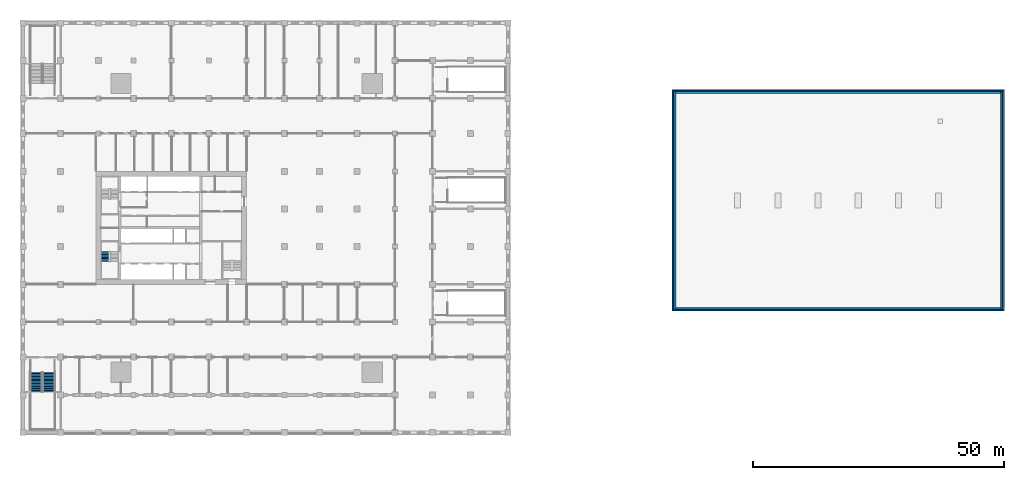
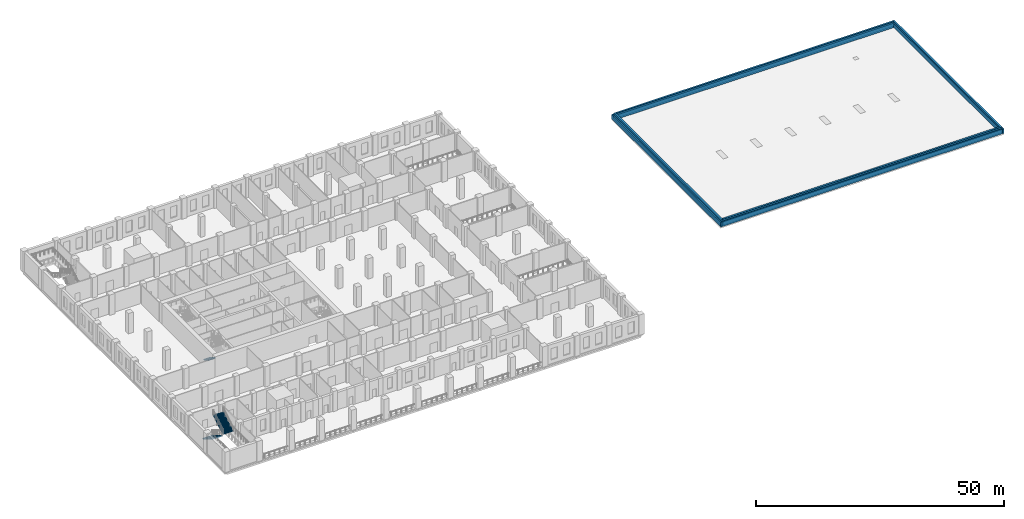
# One storey, part 12 of 22: 12 walls, 3 stair flights, 2 elements without a shape of their own.
"""IFC4 building model written with IfcOpenShell, lengths in metres."""

from ifc_helpers import new_model, si_unit, direction, frame, frame_2d, origin, place, context, subcontext, project, spatial, polyline, rectangle, outline, extrude, material, layer, layer_set, type_object, element, aggregate, save


model = new_model("IFC4")

# Units and contexts
model_context = context("Model", 3, precision=1e-05, world=origin(), true_north=direction((0.0, 1.0)))
body_context = subcontext(model_context, "Body", "Model", "MODEL_VIEW")
ifc_project = project(units=[si_unit("LENGTHUNIT", "METRE"), si_unit("AREAUNIT", "SQUARE_METRE"), si_unit("VOLUMEUNIT", "CUBIC_METRE"), si_unit("PLANEANGLEUNIT", "RADIAN"), si_unit("MASSUNIT", "GRAM", prefix="KILO")], contexts=[model_context])

# Site, building, storey
site_placement = place(None, origin())
site = spatial("IfcSite", under=ifc_project, at=site_placement, CompositionType="ELEMENT")
building_placement = place(site_placement, origin())
building = spatial("IfcBuilding", under=site, at=building_placement, Name="Tamorin Gate", CompositionType="ELEMENT")
storey_placement = place(building_placement, frame((0.0, 0.0, 29.0)))
storey = spatial("IfcBuildingStorey", under=building, at=storey_placement, Name="L05", CompositionType="ELEMENT", Elevation=29.0)

# Walls
ifc_material_1 = material(Name="Concrete C40/50", Category="concrete")
ifc_layer_1 = layer(ifc_material_1, 0.300048828125)
ifc_layer_set_1 = layer_set([ifc_layer_1], Name="Precast concrete band wall 300 C40/50")
wall_type_1 = type_object("IfcWallType", Name="Precast concrete band wall 300 C40/50", PredefinedType="STANDARD", material=ifc_layer_set_1)
for number, where, z_axis, x_axis, name in (
    (1, (145.0, 54.85009765625, 0.0), (0.0, 0.0, 1.0), (1.0, 0.0, 0.0), "Precast band"),
    (2, (145.0, 98.550048828125, 0.0), (0.0, 0.0, 1.0), (1.0, 0.0, 0.0), "Precast band"),
):
    element("IfcWall", number, at=place(storey_placement, frame(where, z_axis=z_axis, x_axis=x_axis)), inside=storey, type_object=wall_type_1, Name=name, PredefinedType="STANDARD", context=body_context, shape_type="SweptSolid", body=[
        extrude(rectangle(XDim=65.39990234375, YDim=0.300048828125, at=frame_2d((32.699951171875, 0.0))), origin(), (0.0, 0.0, 1.0), 1.10009765625),
    ])
for number, where, z_axis, x_axis, name in (
    (3, (144.85009765625, 54.699951171875, 0.0), (0.0, 0.0, 1.0), (0.0, 1.0, 0.0), "Precast band"),
    (4, (210.550048828125, 54.699951171875, 0.0), (0.0, 0.0, 1.0), (0.0, 1.0, 0.0), "Precast band"),
):
    element("IfcWall", number, at=place(storey_placement, frame(where, z_axis=z_axis, x_axis=x_axis)), inside=storey, type_object=wall_type_1, Name=name, PredefinedType="STANDARD", context=body_context, shape_type="SweptSolid", body=[
        extrude(rectangle(XDim=44.0, YDim=0.300048828125, at=frame_2d((22.0, 0.0))), origin(), (0.0, 0.0, 1.0), 1.10009765625),
    ])
ifc_layer_2 = layer(ifc_material_1, 0.39990234375)
ifc_layer_set_2 = layer_set([ifc_layer_2], Name="Roof parapet wall 400 C40/50")
wall_type_2 = type_object("IfcWallType", Name="Roof parapet wall 400 C40/50", PredefinedType="PARAPET", material=ifc_layer_set_2)
wall_1_placement = place(storey_placement, frame((145.0, 55.199951171875, 0.0), z_axis=(0.0, 0.0, 1.0), x_axis=(1.0, 0.0, 0.0)))
element("IfcWall", 5, at=wall_1_placement, inside=storey, type_object=wall_type_2, Name="Roof parapet", PredefinedType="PARAPET", context=body_context, shape_type="SweptSolid", body=[
    extrude(rectangle(XDim=65.39990234375, YDim=0.39990234375, at=frame_2d((32.699951171875, 0.0))), origin(), (0.0, 0.0, 1.0), 1.10009765625),
])
wall_2_placement = place(storey_placement, frame((145.0, 55.199951171875, 1.10009765625), z_axis=(0.0, 0.0, 1.0), x_axis=(1.0, 0.0, 0.0)))
element("IfcWall", 6, at=wall_2_placement, inside=storey, type_object=wall_type_2, Name="Roof cornice", PredefinedType="PARAPET", context=body_context, shape_type="SweptSolid", body=[
    extrude(rectangle(XDim=65.39990234375, YDim=0.429931640625, at=frame_2d((32.699951171875, 0.0))), origin(), (0.0, 0.0, 1.0), 0.39990234375),
])
wall_3_placement = place(storey_placement, frame((145.0, 98.199951171875, 0.0), z_axis=(0.0, 0.0, 1.0), x_axis=(1.0, 0.0, 0.0)))
element("IfcWall", 7, at=wall_3_placement, inside=storey, type_object=wall_type_2, Name="Roof parapet", PredefinedType="PARAPET", context=body_context, shape_type="SweptSolid", body=[
    extrude(rectangle(XDim=65.39990234375, YDim=0.39990234375, at=frame_2d((32.699951171875, 0.0))), origin(), (0.0, 0.0, 1.0), 1.10009765625),
])
wall_4_placement = place(storey_placement, frame((145.0, 98.199951171875, 1.10009765625), z_axis=(0.0, 0.0, 1.0), x_axis=(1.0, 0.0, 0.0)))
element("IfcWall", 8, at=wall_4_placement, inside=storey, type_object=wall_type_2, Name="Roof cornice", PredefinedType="PARAPET", context=body_context, shape_type="SweptSolid", body=[
    extrude(rectangle(XDim=65.39990234375, YDim=0.429931640625, at=frame_2d((32.699951171875, 0.0))), origin(), (0.0, 0.0, 1.0), 0.39990234375),
])
wall_5_placement = place(storey_placement, frame((145.199951171875, 55.0, 0.0), z_axis=(0.0, 0.0, 1.0), x_axis=(0.0, 1.0, 0.0)))
element("IfcWall", 9, at=wall_5_placement, inside=storey, type_object=wall_type_2, Name="Roof parapet", PredefinedType="PARAPET", context=body_context, shape_type="SweptSolid", body=[
    extrude(rectangle(XDim=43.39990234375, YDim=0.39990234375, at=frame_2d((21.699951171875, 0.0))), origin(), (0.0, 0.0, 1.0), 1.10009765625),
])
wall_6_placement = place(storey_placement, frame((145.199951171875, 55.0, 1.10009765625), z_axis=(0.0, 0.0, 1.0), x_axis=(0.0, 1.0, 0.0)))
element("IfcWall", 10, at=wall_6_placement, inside=storey, type_object=wall_type_2, Name="Roof cornice", PredefinedType="PARAPET", context=body_context, shape_type="SweptSolid", body=[
    extrude(rectangle(XDim=43.39990234375, YDim=0.429931640625, at=frame_2d((21.699951171875, 0.0))), origin(), (0.0, 0.0, 1.0), 0.39990234375),
])
wall_7_placement = place(storey_placement, frame((210.199951171875, 55.0, 0.0), z_axis=(0.0, 0.0, 1.0), x_axis=(0.0, 1.0, 0.0)))
element("IfcWall", 11, at=wall_7_placement, inside=storey, type_object=wall_type_2, Name="Roof parapet", PredefinedType="PARAPET", context=body_context, shape_type="SweptSolid", body=[
    extrude(rectangle(XDim=43.39990234375, YDim=0.39990234375, at=frame_2d((21.699951171875, 0.0))), origin(), (0.0, 0.0, 1.0), 1.10009765625),
])
wall_8_placement = place(storey_placement, frame((210.199951171875, 55.0, 1.10009765625), z_axis=(0.0, 0.0, 1.0), x_axis=(0.0, 1.0, 0.0)))
element("IfcWall", 12, at=wall_8_placement, inside=storey, type_object=wall_type_2, Name="Roof cornice", PredefinedType="PARAPET", context=body_context, shape_type="SweptSolid", body=[
    extrude(rectangle(XDim=43.39990234375, YDim=0.429931640625, at=frame_2d((21.699951171875, 0.0))), origin(), (0.0, 0.0, 1.0), 0.39990234375),
])

# Stair, stair flight
stair_type_1 = type_object("IfcStairType", Name="Exit stair", PredefinedType="HALF_TURN_STAIR", material=ifc_material_1)
stair_1_placement = place(storey_placement, origin())
stair_1 = element("IfcStair", 13, at=stair_1_placement, inside=storey, type_object=stair_type_1, Name="L05 stair ST1", PredefinedType="HALF_TURN_STAIR")
stair_flight_type_1 = type_object("IfcStairFlightType", Name="Exit stair flight", PredefinedType="STRAIGHT", material=ifc_material_1)
stair_flight_1_placement = place(storey_placement, frame((31.824951171875, 66.5, 0.0), z_axis=(0.0, 0.0, 1.0), x_axis=(0.0, -1.0, 0.0)))
stair_flight_1 = element("IfcStairFlight", 14, at=stair_flight_1_placement, type_object=stair_flight_type_1, Name="ST1 flight 1", NumberOfRisers=8, NumberOfTreads=7, PredefinedType="STRAIGHT", RiserHeight=0.15625, TreadLength=0.28, context=body_context, shape_type="SweptSolid", body=[
    extrude(outline(polyline([(-0.00048828125, 0.0), (-0.00048828125, 0.00146484375), (-0.00048828125, 0.003173828125), (-0.00048828125, 0.004638671875), (-0.00048828125, 0.006103515625), (-0.00048828125, 0.0078125), (-0.00048828125, 0.00927734375), (-0.00048828125, 0.0107421875), (-0.00048828125, 0.012451171875), (-0.00048828125, 0.013916015625), (-0.00048828125, 0.015380859375), (-0.00048828125, 0.01708984375), (-0.00048828125, 0.0185546875), (-0.00048828125, 0.02001953125), (-0.00048828125, 0.021728515625), (-0.00048828125, 0.023193359375), (-0.00048828125, 0.024658203125), (-0.00048828125, 0.0263671875), (-0.00048828125, 0.02783203125), (-0.00048828125, 0.029296875), (-0.00048828125, 0.031005859375), (-0.00048828125, 0.032470703125), (-0.00048828125, 0.033935546875), (-0.00048828125, 0.03564453125), (-0.00048828125, 0.037109375), (-0.00048828125, 0.03857421875), (-0.00048828125, 0.040283203125), (-0.00048828125, 0.041748046875), (-0.00048828125, 0.043212890625), (-0.00048828125, 0.044921875), (-0.00048828125, 0.04638671875), (-0.00048828125, 0.0478515625), (-0.00048828125, 0.049560546875), (-0.00048828125, 0.051025390625), (-0.00048828125, 0.052490234375), (-0.00048828125, 0.05419921875), (-0.00048828125, 0.0556640625), (-0.00048828125, 0.05712890625), (-0.00048828125, 0.058837890625), (-0.00048828125, 0.060302734375), (-0.00048828125, 0.061767578125), (-0.00048828125, 0.0634765625), (-0.00048828125, 0.06494140625), (-0.00048828125, 0.06640625), (-0.00048828125, 0.068115234375), (-0.00048828125, 0.069580078125), (-0.00048828125, 0.071044921875), (-0.00048828125, 0.07275390625), (-0.00048828125, 0.07421875), (-0.00048828125, 0.07568359375), (-0.00048828125, 0.077392578125), (-0.00048828125, 0.078857421875), (-0.00048828125, 0.08056640625), (-0.00048828125, 0.08203125), (-0.00048828125, 0.08349609375), (-0.00048828125, 0.085205078125), (-0.00048828125, 0.086669921875), (-0.00048828125, 0.088134765625), (-0.00048828125, 0.08984375), (-0.00048828125, 0.09130859375), (-0.00048828125, 0.0927734375), (-0.00048828125, 0.094482421875), (-0.00048828125, 0.095947265625), (-0.00048828125, 0.097412109375), (-0.00048828125, 0.09912109375), (-0.00048828125, 0.1005859375), (-0.00048828125, 0.10205078125), (-0.00048828125, 0.103759765625), (-0.00048828125, 0.105224609375), (-0.00048828125, 0.106689453125), (-0.00048828125, 0.1083984375), (-0.00048828125, 0.10986328125), (-0.00048828125, 0.111328125), (-0.00048828125, 0.113037109375), (-0.00048828125, 0.114501953125), (-0.00048828125, 0.115966796875), (-0.00048828125, 0.11767578125), (-0.00048828125, 0.119140625), (-0.00048828125, 0.12060546875), (-0.00048828125, 0.122314453125), (-0.00048828125, 0.123779296875), (-0.00048828125, 0.125244140625), (-0.00048828125, 0.126953125), (-0.00048828125, 0.12841796875), (-0.00048828125, 0.1298828125), (-0.00048828125, 0.131591796875), (-0.00048828125, 0.133056640625), (-0.00048828125, 0.134521484375), (-0.00048828125, 0.13623046875), (-0.00048828125, 0.1376953125), (-0.00048828125, 0.13916015625), (-0.00048828125, 0.140869140625), (-0.00048828125, 0.142333984375), (-0.00048828125, 0.143798828125), (-0.00048828125, 0.1455078125), (-0.00048828125, 0.14697265625), (-0.00048828125, 0.1484375), (-0.00048828125, 0.150146484375), (-0.00048828125, 0.151611328125), (-0.00048828125, 0.153076171875), (-0.00048828125, 0.15478515625), (-0.00048828125, 0.15625), (0.280029296875, 0.15625), (0.280029296875, 0.3125), (0.56005859375, 0.3125), (0.56005859375, 0.46875), (0.840087890625, 0.46875), (0.840087890625, 0.625), (1.1201171875, 0.625), (1.1201171875, 0.78125), (1.39990234375, 0.78125), (1.39990234375, 0.9375), (1.679931640625, 0.9375), (1.679931640625, 1.09375), (1.9599609375, 1.09375), (1.9599609375, 1.25), (1.96044921875, 1.25), (1.96044921875, 1.246826171875), (1.96044921875, 1.243408203125), (1.96044921875, 1.240234375), (1.96044921875, 1.237060546875), (1.96044921875, 1.23388671875), (1.96044921875, 1.23046875), (1.96044921875, 1.227294921875), (1.96044921875, 1.22412109375), (1.96044921875, 1.220703125), (1.96044921875, 1.217529296875), (1.96044921875, 1.21435546875), (1.96044921875, 1.2109375), (1.96044921875, 1.207763671875), (1.96044921875, 1.20458984375), (1.96044921875, 1.201416015625), (1.96044921875, 1.197998046875), (1.96044921875, 1.19482421875), (1.96044921875, 1.191650390625), (1.96044921875, 1.188232421875), (1.96044921875, 1.18505859375), (1.96044921875, 1.181884765625), (1.96044921875, 1.178466796875), (1.96044921875, 1.17529296875), (1.96044921875, 1.172119140625), (1.96044921875, 1.1689453125), (1.96044921875, 1.16552734375), (1.96044921875, 1.162353515625), (1.96044921875, 1.1591796875), (1.96044921875, 1.15576171875), (1.96044921875, 1.152587890625), (1.96044921875, 1.1494140625), (1.96044921875, 1.14599609375), (1.96044921875, 1.142822265625), (1.96044921875, 1.1396484375), (1.96044921875, 1.136474609375), (1.96044921875, 1.133056640625), (1.96044921875, 1.1298828125), (1.96044921875, 1.126708984375), (1.96044921875, 1.123291015625), (1.96044921875, 1.1201171875), (1.96044921875, 1.116943359375), (1.96044921875, 1.113525390625), (1.96044921875, 1.1103515625), (1.96044921875, 1.107177734375), (1.96044921875, 1.10400390625), (1.96044921875, 1.1005859375), (1.96044921875, 1.097412109375), (1.96044921875, 1.09423828125), (1.96044921875, 1.0908203125), (1.96044921875, 1.087646484375), (1.96044921875, 1.08447265625), (1.96044921875, 1.0810546875), (1.96044921875, 1.077880859375), (1.96044921875, 1.07470703125), (1.96044921875, 1.071533203125), (1.96044921875, 1.068115234375), (1.96044921875, 1.06494140625), (1.96044921875, 1.061767578125), (1.96044921875, 1.058349609375), (1.96044921875, 1.05517578125), (1.96044921875, 1.052001953125), (1.96044921875, 1.048828125), (1.96044921875, 1.04541015625), (1.96044921875, 1.042236328125), (1.96044921875, 1.0390625), (1.96044921875, 1.03564453125), (1.96044921875, 1.032470703125), (1.96044921875, 1.029296875), (1.96044921875, 1.02587890625), (1.96044921875, 1.022705078125), (1.96044921875, 1.01953125), (1.96044921875, 1.016357421875), (1.96044921875, 1.012939453125), (1.96044921875, 1.009765625), (1.96044921875, 1.006591796875), (1.96044921875, 1.003173828125), (1.96044921875, 1.0), (1.96044921875, 0.996826171875), (1.96044921875, 0.993408203125), (1.96044921875, 0.990234375), (1.96044921875, 0.987060546875), (1.96044921875, 0.98388671875), (1.96044921875, 0.98046875), (1.96044921875, 0.977294921875), (1.96044921875, 0.97412109375), (1.96044921875, 0.970703125), (1.96044921875, 0.967529296875), (1.96044921875, 0.96435546875), (1.96044921875, 0.9609375), (1.96044921875, 0.957763671875), (1.96044921875, 0.95458984375), (1.96044921875, 0.951416015625), (1.96044921875, 0.947998046875), (1.96044921875, 0.94482421875), (1.96044921875, 0.941650390625), (1.96044921875, 0.938232421875), (1.96044921875, 0.93505859375), (1.96044921875, 0.931884765625), (1.96044921875, 0.928466796875), (1.96044921875, 0.92529296875), (1.96044921875, 0.922119140625), (1.9599609375, 0.922119140625), (0.3076171875, 0.0), (-0.00048828125, 0.0)])), frame((0.0, 0.824951171875, 0.0), z_axis=(0.0, -1.0, 0.0), x_axis=(1.0, 0.0, 0.0)), (0.0, 0.0, 1.0), 1.64990234375),
])
aggregate(stair_1, [stair_flight_1])

# Stair, stair flights
ifc_material_2 = material(Name="Reinforced concrete C32/40", Category="concrete")
stair_type_2 = type_object("IfcStairType", Name="Podium stair PS", PredefinedType="HALF_TURN_STAIR", material=ifc_material_2)
stair_2_placement = place(storey_placement, origin())
stair_2 = element("IfcStair", 15, at=stair_2_placement, inside=storey, type_object=stair_type_2, Name="L05 Podium stair PS1", PredefinedType="HALF_TURN_STAIR")
stair_flight_type_2 = type_object("IfcStairFlightType", Name="Stair flight 2400", PredefinedType="STRAIGHT", material=ifc_material_2)
stair_flight_2_placement = place(storey_placement, frame((18.125, 42.5, 0.0), z_axis=(0.0, 0.0, 1.0), x_axis=(0.0, -1.0, 0.0)))
stair_flight_2 = element("IfcStairFlight", 16, at=stair_flight_2_placement, type_object=stair_flight_type_2, Name="PS1 flight 1", NumberOfRisers=15, NumberOfTreads=14, PredefinedType="STRAIGHT", RiserHeight=0.166666667, TreadLength=0.28, context=body_context, shape_type="SweptSolid", body=[
    extrude(outline(polyline([(-0.00048828125, 0.0), (-0.00048828125, 0.001708984375), (-0.00048828125, 0.00341796875), (-0.00048828125, 0.0048828125), (-0.00048828125, 0.006591796875), (-0.00048828125, 0.00830078125), (-0.00048828125, 0.010009765625), (-0.00048828125, 0.011474609375), (-0.00048828125, 0.01318359375), (-0.00048828125, 0.014892578125), (-0.00048828125, 0.0166015625), (-0.00048828125, 0.01806640625), (-0.00048828125, 0.019775390625), (-0.00048828125, 0.021484375), (-0.00048828125, 0.023193359375), (-0.00048828125, 0.024658203125), (-0.00048828125, 0.0263671875), (-0.00048828125, 0.028076171875), (-0.00048828125, 0.02978515625), (-0.00048828125, 0.03125), (-0.00048828125, 0.032958984375), (-0.00048828125, 0.03466796875), (-0.00048828125, 0.036376953125), (-0.00048828125, 0.037841796875), (-0.00048828125, 0.03955078125), (-0.00048828125, 0.041259765625), (-0.00048828125, 0.04296875), (-0.00048828125, 0.04443359375), (-0.00048828125, 0.046142578125), (-0.00048828125, 0.0478515625), (-0.00048828125, 0.049560546875), (-0.00048828125, 0.05126953125), (-0.00048828125, 0.052734375), (-0.00048828125, 0.054443359375), (-0.00048828125, 0.05615234375), (-0.00048828125, 0.057861328125), (-0.00048828125, 0.059326171875), (-0.00048828125, 0.06103515625), (-0.00048828125, 0.062744140625), (-0.00048828125, 0.064453125), (-0.00048828125, 0.06591796875), (-0.00048828125, 0.067626953125), (-0.00048828125, 0.0693359375), (-0.00048828125, 0.071044921875), (-0.00048828125, 0.072509765625), (-0.00048828125, 0.07421875), (-0.00048828125, 0.075927734375), (-0.00048828125, 0.07763671875), (-0.00048828125, 0.0791015625), (-0.00048828125, 0.080810546875), (-0.00048828125, 0.08251953125), (-0.00048828125, 0.084228515625), (-0.00048828125, 0.085693359375), (-0.00048828125, 0.08740234375), (-0.00048828125, 0.089111328125), (-0.00048828125, 0.0908203125), (-0.00048828125, 0.092529296875), (-0.00048828125, 0.093994140625), (-0.00048828125, 0.095703125), (-0.00048828125, 0.097412109375), (-0.00048828125, 0.09912109375), (-0.00048828125, 0.1005859375), (-0.00048828125, 0.102294921875), (-0.00048828125, 0.10400390625), (-0.00048828125, 0.105712890625), (-0.00048828125, 0.107177734375), (-0.00048828125, 0.10888671875), (-0.00048828125, 0.110595703125), (-0.00048828125, 0.1123046875), (-0.00048828125, 0.11376953125), (-0.00048828125, 0.115478515625), (-0.00048828125, 0.1171875), (-0.00048828125, 0.118896484375), (-0.00048828125, 0.120361328125), (-0.00048828125, 0.1220703125), (-0.00048828125, 0.123779296875), (-0.00048828125, 0.12548828125), (-0.00048828125, 0.126953125), (-0.00048828125, 0.128662109375), (-0.00048828125, 0.13037109375), (-0.00048828125, 0.132080078125), (-0.00048828125, 0.133544921875), (-0.00048828125, 0.13525390625), (-0.00048828125, 0.136962890625), (-0.00048828125, 0.138671875), (-0.00048828125, 0.140380859375), (-0.00048828125, 0.141845703125), (-0.00048828125, 0.1435546875), (-0.00048828125, 0.145263671875), (-0.00048828125, 0.14697265625), (-0.00048828125, 0.1484375), (-0.00048828125, 0.150146484375), (-0.00048828125, 0.15185546875), (-0.00048828125, 0.153564453125), (-0.00048828125, 0.155029296875), (-0.00048828125, 0.15673828125), (-0.00048828125, 0.158447265625), (-0.00048828125, 0.16015625), (-0.00048828125, 0.16162109375), (-0.00048828125, 0.163330078125), (-0.00048828125, 0.1650390625), (-0.00048828125, 0.166748046875), (0.280029296875, 0.166748046875), (0.280029296875, 0.333251953125), (0.56005859375, 0.333251953125), (0.56005859375, 0.5), (0.840087890625, 0.5), (0.840087890625, 0.666748046875), (1.1201171875, 0.666748046875), (1.1201171875, 0.833251953125), (1.39990234375, 0.833251953125), (1.39990234375, 1.0), (1.679931640625, 1.0), (1.679931640625, 1.166748046875), (1.9599609375, 1.166748046875), (1.9599609375, 1.333251953125), (2.239990234375, 1.333251953125), (2.239990234375, 1.5), (2.52001953125, 1.5), (2.52001953125, 1.666748046875), (2.800048828125, 1.666748046875), (2.800048828125, 1.833251953125), (3.080078125, 1.833251953125), (3.080078125, 2.0), (3.360107421875, 2.0), (3.360107421875, 2.166748046875), (3.639892578125, 2.166748046875), (3.639892578125, 2.333251953125), (3.919921875, 2.333251953125), (3.919921875, 2.5), (3.92041015625, 2.5), (3.92041015625, 2.49658203125), (3.92041015625, 2.4931640625), (3.92041015625, 2.48974609375), (3.92041015625, 2.486572265625), (3.92041015625, 2.483154296875), (3.92041015625, 2.479736328125), (3.92041015625, 2.476318359375), (3.92041015625, 2.472900390625), (3.92041015625, 2.469482421875), (3.92041015625, 2.46630859375), (3.92041015625, 2.462890625), (3.92041015625, 2.45947265625), (3.92041015625, 2.4560546875), (3.92041015625, 2.45263671875), (3.92041015625, 2.44921875), (3.92041015625, 2.446044921875), (3.92041015625, 2.442626953125), (3.92041015625, 2.439208984375), (3.92041015625, 2.435791015625), (3.92041015625, 2.432373046875), (3.92041015625, 2.428955078125), (3.92041015625, 2.42578125), (3.92041015625, 2.42236328125), (3.92041015625, 2.4189453125), (3.92041015625, 2.41552734375), (3.92041015625, 2.412109375), (3.92041015625, 2.40869140625), (3.92041015625, 2.405517578125), (3.92041015625, 2.402099609375), (3.92041015625, 2.398681640625), (3.92041015625, 2.395263671875), (3.92041015625, 2.391845703125), (3.92041015625, 2.388427734375), (3.92041015625, 2.38525390625), (3.92041015625, 2.3818359375), (3.92041015625, 2.37841796875), (3.92041015625, 2.375), (3.92041015625, 2.37158203125), (3.92041015625, 2.3681640625), (3.92041015625, 2.364990234375), (3.92041015625, 2.361572265625), (3.92041015625, 2.358154296875), (3.92041015625, 2.354736328125), (3.92041015625, 2.351318359375), (3.92041015625, 2.347900390625), (3.92041015625, 2.3447265625), (3.92041015625, 2.34130859375), (3.92041015625, 2.337890625), (3.92041015625, 2.33447265625), (3.92041015625, 2.3310546875), (3.92041015625, 2.32763671875), (3.92041015625, 2.324462890625), (3.92041015625, 2.321044921875), (3.92041015625, 2.317626953125), (3.92041015625, 2.314208984375), (3.92041015625, 2.310791015625), (3.92041015625, 2.307373046875), (3.92041015625, 2.30419921875), (3.92041015625, 2.30078125), (3.92041015625, 2.29736328125), (3.92041015625, 2.2939453125), (3.92041015625, 2.29052734375), (3.92041015625, 2.287109375), (3.92041015625, 2.283935546875), (3.92041015625, 2.280517578125), (3.92041015625, 2.277099609375), (3.92041015625, 2.273681640625), (3.92041015625, 2.270263671875), (3.92041015625, 2.266845703125), (3.92041015625, 2.263671875), (3.92041015625, 2.26025390625), (3.92041015625, 2.2568359375), (3.92041015625, 2.25341796875), (3.92041015625, 2.25), (3.92041015625, 2.24658203125), (3.92041015625, 2.243408203125), (3.92041015625, 2.239990234375), (3.92041015625, 2.236572265625), (3.92041015625, 2.233154296875), (3.92041015625, 2.229736328125), (3.92041015625, 2.226318359375), (3.92041015625, 2.22314453125), (3.92041015625, 2.2197265625), (3.92041015625, 2.21630859375), (3.92041015625, 2.212890625), (3.92041015625, 2.20947265625), (3.92041015625, 2.2060546875), (3.92041015625, 2.202880859375), (3.92041015625, 2.199462890625), (3.92041015625, 2.196044921875), (3.92041015625, 2.192626953125), (3.92041015625, 2.189208984375), (3.92041015625, 2.185791015625), (3.92041015625, 2.1826171875), (3.92041015625, 2.17919921875), (3.92041015625, 2.17578125), (3.92041015625, 2.17236328125), (3.92041015625, 2.1689453125), (3.92041015625, 2.16552734375), (3.92041015625, 2.162353515625), (3.92041015625, 2.158935546875), (3.919921875, 2.158935546875), (0.29296875, 0.0), (-0.00048828125, 0.0)])), frame((0.0, 1.199951171875, 0.0), z_axis=(0.0, -1.0, 0.0), x_axis=(1.0, 0.0, 0.0)), (0.0, 0.0, 1.0), 2.39990234375),
])
stair_flight_3_placement = place(storey_placement, frame((20.675048828125, 38.580078125, 2.5), z_axis=(0.0, 0.0, 1.0), x_axis=(0.0, 1.0, 0.0)))
stair_flight_3 = element("IfcStairFlight", 17, at=stair_flight_3_placement, type_object=stair_flight_type_2, Name="PS1 flight 2", NumberOfRisers=15, NumberOfTreads=14, PredefinedType="STRAIGHT", RiserHeight=0.166666667, TreadLength=0.28, context=body_context, shape_type="SweptSolid", body=[
    extrude(outline(polyline([(-0.00048828125, 0.0), (-0.00048828125, 0.001708984375), (-0.00048828125, 0.00341796875), (-0.00048828125, 0.0048828125), (-0.00048828125, 0.006591796875), (-0.00048828125, 0.00830078125), (-0.00048828125, 0.010009765625), (-0.00048828125, 0.011474609375), (-0.00048828125, 0.01318359375), (-0.00048828125, 0.014892578125), (-0.00048828125, 0.0166015625), (-0.00048828125, 0.01806640625), (-0.00048828125, 0.019775390625), (-0.00048828125, 0.021484375), (-0.00048828125, 0.023193359375), (-0.00048828125, 0.024658203125), (-0.00048828125, 0.0263671875), (-0.00048828125, 0.028076171875), (-0.00048828125, 0.02978515625), (-0.00048828125, 0.03125), (-0.00048828125, 0.032958984375), (-0.00048828125, 0.03466796875), (-0.00048828125, 0.036376953125), (-0.00048828125, 0.037841796875), (-0.00048828125, 0.03955078125), (-0.00048828125, 0.041259765625), (-0.00048828125, 0.04296875), (-0.00048828125, 0.04443359375), (-0.00048828125, 0.046142578125), (-0.00048828125, 0.0478515625), (-0.00048828125, 0.049560546875), (-0.00048828125, 0.05126953125), (-0.00048828125, 0.052734375), (-0.00048828125, 0.054443359375), (-0.00048828125, 0.05615234375), (-0.00048828125, 0.057861328125), (-0.00048828125, 0.059326171875), (-0.00048828125, 0.06103515625), (-0.00048828125, 0.062744140625), (-0.00048828125, 0.064453125), (-0.00048828125, 0.06591796875), (-0.00048828125, 0.067626953125), (-0.00048828125, 0.0693359375), (-0.00048828125, 0.071044921875), (-0.00048828125, 0.072509765625), (-0.00048828125, 0.07421875), (-0.00048828125, 0.075927734375), (-0.00048828125, 0.07763671875), (-0.00048828125, 0.0791015625), (-0.00048828125, 0.080810546875), (-0.00048828125, 0.08251953125), (-0.00048828125, 0.084228515625), (-0.00048828125, 0.085693359375), (-0.00048828125, 0.08740234375), (-0.00048828125, 0.089111328125), (-0.00048828125, 0.0908203125), (-0.00048828125, 0.092529296875), (-0.00048828125, 0.093994140625), (-0.00048828125, 0.095703125), (-0.00048828125, 0.097412109375), (-0.00048828125, 0.09912109375), (-0.00048828125, 0.1005859375), (-0.00048828125, 0.102294921875), (-0.00048828125, 0.10400390625), (-0.00048828125, 0.105712890625), (-0.00048828125, 0.107177734375), (-0.00048828125, 0.10888671875), (-0.00048828125, 0.110595703125), (-0.00048828125, 0.1123046875), (-0.00048828125, 0.11376953125), (-0.00048828125, 0.115478515625), (-0.00048828125, 0.1171875), (-0.00048828125, 0.118896484375), (-0.00048828125, 0.120361328125), (-0.00048828125, 0.1220703125), (-0.00048828125, 0.123779296875), (-0.00048828125, 0.12548828125), (-0.00048828125, 0.126953125), (-0.00048828125, 0.128662109375), (-0.00048828125, 0.13037109375), (-0.00048828125, 0.132080078125), (-0.00048828125, 0.133544921875), (-0.00048828125, 0.13525390625), (-0.00048828125, 0.136962890625), (-0.00048828125, 0.138671875), (-0.00048828125, 0.140380859375), (-0.00048828125, 0.141845703125), (-0.00048828125, 0.1435546875), (-0.00048828125, 0.145263671875), (-0.00048828125, 0.14697265625), (-0.00048828125, 0.1484375), (-0.00048828125, 0.150146484375), (-0.00048828125, 0.15185546875), (-0.00048828125, 0.153564453125), (-0.00048828125, 0.155029296875), (-0.00048828125, 0.15673828125), (-0.00048828125, 0.158447265625), (-0.00048828125, 0.16015625), (-0.00048828125, 0.16162109375), (-0.00048828125, 0.163330078125), (-0.00048828125, 0.1650390625), (-0.00048828125, 0.166748046875), (0.280029296875, 0.166748046875), (0.280029296875, 0.333251953125), (0.56005859375, 0.333251953125), (0.56005859375, 0.5), (0.840087890625, 0.5), (0.840087890625, 0.666748046875), (1.1201171875, 0.666748046875), (1.1201171875, 0.833251953125), (1.39990234375, 0.833251953125), (1.39990234375, 1.0), (1.679931640625, 1.0), (1.679931640625, 1.166748046875), (1.9599609375, 1.166748046875), (1.9599609375, 1.333251953125), (2.239990234375, 1.333251953125), (2.239990234375, 1.5), (2.52001953125, 1.5), (2.52001953125, 1.666748046875), (2.800048828125, 1.666748046875), (2.800048828125, 1.833251953125), (3.080078125, 1.833251953125), (3.080078125, 2.0), (3.360107421875, 2.0), (3.360107421875, 2.166748046875), (3.639892578125, 2.166748046875), (3.639892578125, 2.333251953125), (3.919921875, 2.333251953125), (3.919921875, 2.5), (3.92041015625, 2.5), (3.92041015625, 2.49658203125), (3.92041015625, 2.4931640625), (3.92041015625, 2.48974609375), (3.92041015625, 2.486572265625), (3.92041015625, 2.483154296875), (3.92041015625, 2.479736328125), (3.92041015625, 2.476318359375), (3.92041015625, 2.472900390625), (3.92041015625, 2.469482421875), (3.92041015625, 2.46630859375), (3.92041015625, 2.462890625), (3.92041015625, 2.45947265625), (3.92041015625, 2.4560546875), (3.92041015625, 2.45263671875), (3.92041015625, 2.44921875), (3.92041015625, 2.446044921875), (3.92041015625, 2.442626953125), (3.92041015625, 2.439208984375), (3.92041015625, 2.435791015625), (3.92041015625, 2.432373046875), (3.92041015625, 2.428955078125), (3.92041015625, 2.42578125), (3.92041015625, 2.42236328125), (3.92041015625, 2.4189453125), (3.92041015625, 2.41552734375), (3.92041015625, 2.412109375), (3.92041015625, 2.40869140625), (3.92041015625, 2.405517578125), (3.92041015625, 2.402099609375), (3.92041015625, 2.398681640625), (3.92041015625, 2.395263671875), (3.92041015625, 2.391845703125), (3.92041015625, 2.388427734375), (3.92041015625, 2.38525390625), (3.92041015625, 2.3818359375), (3.92041015625, 2.37841796875), (3.92041015625, 2.375), (3.92041015625, 2.37158203125), (3.92041015625, 2.3681640625), (3.92041015625, 2.364990234375), (3.92041015625, 2.361572265625), (3.92041015625, 2.358154296875), (3.92041015625, 2.354736328125), (3.92041015625, 2.351318359375), (3.92041015625, 2.347900390625), (3.92041015625, 2.3447265625), (3.92041015625, 2.34130859375), (3.92041015625, 2.337890625), (3.92041015625, 2.33447265625), (3.92041015625, 2.3310546875), (3.92041015625, 2.32763671875), (3.92041015625, 2.324462890625), (3.92041015625, 2.321044921875), (3.92041015625, 2.317626953125), (3.92041015625, 2.314208984375), (3.92041015625, 2.310791015625), (3.92041015625, 2.307373046875), (3.92041015625, 2.30419921875), (3.92041015625, 2.30078125), (3.92041015625, 2.29736328125), (3.92041015625, 2.2939453125), (3.92041015625, 2.29052734375), (3.92041015625, 2.287109375), (3.92041015625, 2.283935546875), (3.92041015625, 2.280517578125), (3.92041015625, 2.277099609375), (3.92041015625, 2.273681640625), (3.92041015625, 2.270263671875), (3.92041015625, 2.266845703125), (3.92041015625, 2.263671875), (3.92041015625, 2.26025390625), (3.92041015625, 2.2568359375), (3.92041015625, 2.25341796875), (3.92041015625, 2.25), (3.92041015625, 2.24658203125), (3.92041015625, 2.243408203125), (3.92041015625, 2.239990234375), (3.92041015625, 2.236572265625), (3.92041015625, 2.233154296875), (3.92041015625, 2.229736328125), (3.92041015625, 2.226318359375), (3.92041015625, 2.22314453125), (3.92041015625, 2.2197265625), (3.92041015625, 2.21630859375), (3.92041015625, 2.212890625), (3.92041015625, 2.20947265625), (3.92041015625, 2.2060546875), (3.92041015625, 2.202880859375), (3.92041015625, 2.199462890625), (3.92041015625, 2.196044921875), (3.92041015625, 2.192626953125), (3.92041015625, 2.189208984375), (3.92041015625, 2.185791015625), (3.92041015625, 2.1826171875), (3.92041015625, 2.17919921875), (3.92041015625, 2.17578125), (3.92041015625, 2.17236328125), (3.92041015625, 2.1689453125), (3.92041015625, 2.16552734375), (3.92041015625, 2.162353515625), (3.92041015625, 2.158935546875), (3.919921875, 2.158935546875), (0.29296875, 0.0), (-0.00048828125, 0.0)])), frame((0.0, 1.199951171875, 0.0), z_axis=(0.0, -1.0, 0.0), x_axis=(1.0, 0.0, 0.0)), (0.0, 0.0, 1.0), 2.39990234375),
])
aggregate(stair_2, [stair_flight_2, stair_flight_3])

save(model, "model.ifc")
